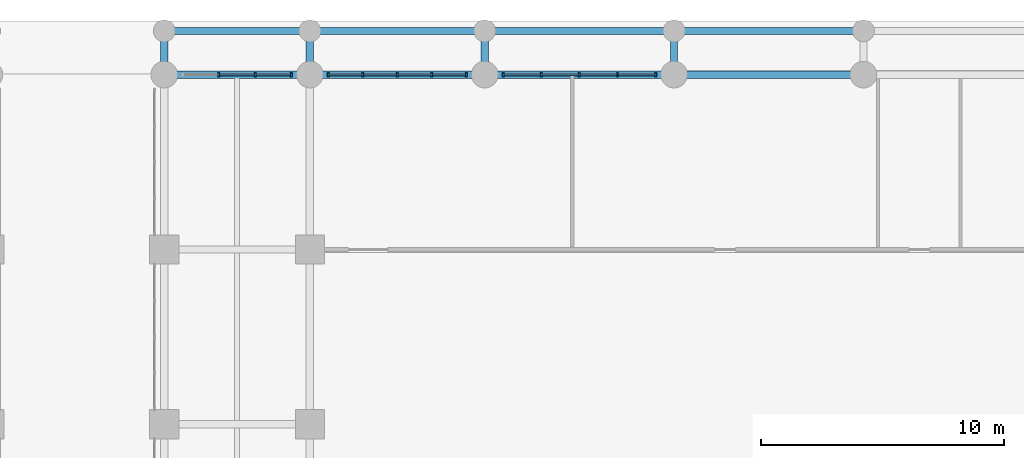
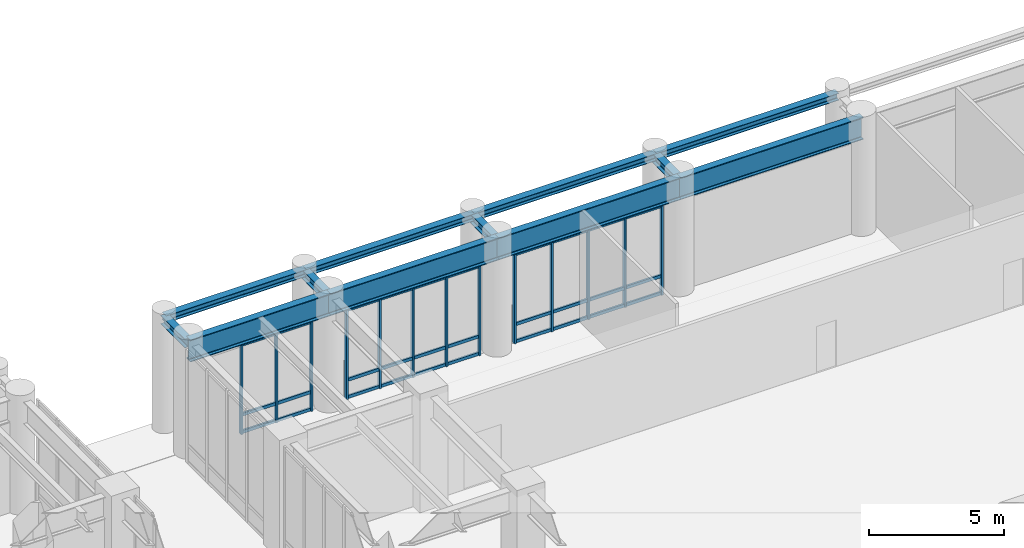
# One storey, part 8 of 23: 43 members, 12 beams, 3 elements without a shape of their own.
"""IFC4 building model written with IfcOpenShell, lengths in metres."""

from ifc_helpers import new_model, si_unit, derived_unit, direction, frame, origin, origin_2d, place, context, subcontext, project, spatial, rectangle, i_section, extrude, source, transform, mapped, material, layer, layer_set, material_profile, profile_set, type_object, type_shapes, element, aggregate, save


model = new_model("IFC4")

# Units and contexts
model_context = context("Model", 3, precision=1e-05, world=origin(), true_north=direction((0.0, 1.0)))
body_context = subcontext(model_context, "Body", "Model", "MODEL_VIEW")
ifc_project = project(units=[si_unit("LENGTHUNIT", "METRE"), si_unit("AREAUNIT", "SQUARE_METRE"), si_unit("VOLUMEUNIT", "CUBIC_METRE"), si_unit("PLANEANGLEUNIT", "RADIAN"), si_unit("MASSUNIT", "GRAM", prefix="KILO"), si_unit("THERMODYNAMICTEMPERATUREUNIT", "KELVIN"), si_unit("POWERUNIT", "WATT"), derived_unit("THERMALTRANSMITTANCEUNIT", [(si_unit("POWERUNIT", "WATT"), 1), (si_unit("AREAUNIT", "SQUARE_METRE"), -1), (si_unit("THERMODYNAMICTEMPERATUREUNIT", "KELVIN"), -1)])], contexts=[model_context])

# Site, building, storey
site_placement = place(None, origin())
site = spatial("IfcSite", under=ifc_project, at=site_placement, CompositionType="ELEMENT")
building_placement = place(site_placement, origin())
building = spatial("IfcBuilding", under=site, at=building_placement, Name="Zahravan Archway Hotel and Residences", CompositionType="ELEMENT")
storey_placement = place(building_placement, origin())
storey = spatial("IfcBuildingStorey", under=building, at=storey_placement, Name="L00", CompositionType="ELEMENT", Elevation=0.0)

# Beams
ifc_material_1 = material(Name="Structural Steel S355J2", Category="steel")
ifc_material_profile_1 = material_profile(ifc_material_1, i_section(OverallWidth=0.300048828125, OverallDepth=1.0, WebThickness=0.01904296875, FlangeThickness=0.035888671875, FilletRadius=0.030029296875, at=origin_2d()), Name="HEB 1000", Category="steel")
ifc_profile_set_1 = profile_set([ifc_material_profile_1], Name="Structural Steel S355J2")
beam_type_1 = type_object("IfcBeamType", Name="BM-PRI-HEB1000", PredefinedType="BEAM", material=ifc_profile_set_1)
shared_shape_1 = source(origin(), body_context, "Body", "SweptSolid", [
    extrude(i_section(OverallWidth=0.300048828125, OverallDepth=1.0, WebThickness=0.01904296875, FlangeThickness=0.035888671875, FilletRadius=0.030029296875, at=origin_2d()), origin(), (0.0, 0.0, 1.0), 7.199951171875),
])
beam_1_placement = place(storey_placement, frame((34.800048828125, 46.800048828125, 4.60009765625), z_axis=(1.0, 0.0, 0.0), x_axis=(0.0, 1.0, 0.0)))
element("IfcBeam", 1, at=beam_1_placement, inside=storey, type_object=beam_type_1, Name="L00 Primary Girder EW-57", PredefinedType="BEAM", context=body_context, shape_type="MappedRepresentation", body=[
    mapped(shared_shape_1, transform((0.0, 0.0, 0.0), scale=1.0)),
])
shared_shape_2 = source(origin(), body_context, "Body", "SweptSolid", [
    extrude(i_section(OverallWidth=0.300048828125, OverallDepth=1.0, WebThickness=0.01904296875, FlangeThickness=0.035888671875, FilletRadius=0.030029296875, at=origin_2d()), origin(), (0.0, 0.0, 1.0), 6.0),
])
beam_2_placement = place(storey_placement, frame((28.800048828125, 46.800048828125, 4.60009765625), z_axis=(1.0, 0.0, 0.0), x_axis=(0.0, 1.0, 0.0)))
element("IfcBeam", 2, at=beam_2_placement, inside=storey, type_object=beam_type_1, Name="L00 Primary Girder EW-56", PredefinedType="BEAM", context=body_context, shape_type="MappedRepresentation", body=[
    mapped(shared_shape_2, transform((0.0, 0.0, 0.0), scale=1.0)),
])
shared_shape_3 = source(origin(), body_context, "Body", "SweptSolid", [
    extrude(i_section(OverallWidth=0.300048828125, OverallDepth=1.0, WebThickness=0.01904296875, FlangeThickness=0.035888671875, FilletRadius=0.030029296875, at=origin_2d()), origin(), (0.0, 0.0, 1.0), 7.800048828125),
])
for number, where, z_axis, x_axis, name in (
    (3, (42.0, 46.800048828125, 4.60009765625), (1.0, 0.0, 0.0), (0.0, 1.0, 0.0), "L00 Primary Girder EW-58"),
    (4, (49.800048828125, 46.800048828125, 4.60009765625), (1.0, 0.0, 0.0), (0.0, 1.0, 0.0), "L00 Primary Girder EW-59"),
):
    element("IfcBeam", number, at=place(storey_placement, frame(where, z_axis=z_axis, x_axis=x_axis)), inside=storey, type_object=beam_type_1, Name=name, PredefinedType="BEAM", context=body_context, shape_type="MappedRepresentation", body=[
        mapped(shared_shape_3, transform((0.0, 0.0, 0.0), scale=1.0)),
    ])
ifc_material_2 = material(Name="Structural Steel S355JR", Category="steel")
ifc_material_profile_2 = material_profile(ifc_material_2, i_section(OverallWidth=0.300048828125, OverallDepth=0.320068359375, WebThickness=0.011474609375, FlangeThickness=0.0205078125, FilletRadius=0.027099609375, at=origin_2d()), Name="HEB 320", Category="steel")
ifc_profile_set_2 = profile_set([ifc_material_profile_2], Name="Structural Steel S355JR")
beam_type_2 = type_object("IfcBeamType", Name="BM-SPN-HEB320", PredefinedType="SPANDREL", material=ifc_profile_set_2)
shared_shape_4 = source(origin(), body_context, "Body", "SweptSolid", [
    extrude(i_section(OverallWidth=0.300048828125, OverallDepth=0.320068359375, WebThickness=0.011474609375, FlangeThickness=0.0205078125, FilletRadius=0.027099609375, at=origin_2d()), origin(), (0.0, 0.0, 1.0), 7.199951171875),
])
type_shapes(beam_type_2, [shared_shape_4])
beam_3_placement = place(storey_placement, frame((34.800048828125, 48.60009765625, 4.93994140625), z_axis=(1.0, 0.0, 0.0), x_axis=(0.0, 1.0, 0.0)))
element("IfcBeam", 5, at=beam_3_placement, inside=storey, type_object=beam_type_2, Name="L00 North Colonnade Spandrel 6", PredefinedType="SPANDREL", context=body_context, shape_type="MappedRepresentation", body=[
    mapped(shared_shape_4, transform((0.0, 0.0, 0.0), scale=1.0)),
])
ifc_material_profile_3 = material_profile(ifc_material_2, i_section(OverallWidth=0.300048828125, OverallDepth=0.39990234375, WebThickness=0.013427734375, FlangeThickness=0.02392578125, FilletRadius=0.027099609375, at=origin_2d()), Name="HEB 400", Category="steel")
ifc_profile_set_3 = profile_set([ifc_material_profile_3], Name="Structural Steel S355JR")
beam_type_3 = type_object("IfcBeamType", Name="BM-PRI-HEB400", PredefinedType="BEAM", material=ifc_profile_set_3)
shared_shape_5 = source(origin(), body_context, "Body", "SweptSolid", [
    extrude(i_section(OverallWidth=0.300048828125, OverallDepth=0.39990234375, WebThickness=0.013427734375, FlangeThickness=0.02392578125, FilletRadius=0.027099609375, at=origin_2d()), origin(), (0.0, 0.0, 1.0), 1.800048828125),
])
for number, where, z_axis, x_axis, name in (
    (6, (28.800048828125, 46.800048828125, 4.89990234375), (0.0, 1.0, 0.0), (-1.0, 0.0, 0.0), "L00 North Colonnade Tie Girder 5"),
    (7, (34.800048828125, 46.800048828125, 4.89990234375), (0.0, 1.0, 0.0), (-1.0, 0.0, 0.0), "L00 North Colonnade Tie Girder 6"),
    (8, (42.0, 46.800048828125, 4.89990234375), (0.0, 1.0, 0.0), (-1.0, 0.0, 0.0), "L00 North Colonnade Tie Girder 7"),
    (9, (49.800048828125, 46.800048828125, 4.89990234375), (0.0, 1.0, 0.0), (-1.0, 0.0, 0.0), "L00 North Colonnade Tie Girder 8"),
):
    element("IfcBeam", number, at=place(storey_placement, frame(where, z_axis=z_axis, x_axis=x_axis)), inside=storey, type_object=beam_type_3, Name=name, PredefinedType="BEAM", context=body_context, shape_type="MappedRepresentation", body=[
        mapped(shared_shape_5, transform((0.0, 0.0, 0.0), scale=1.0)),
    ])
shared_shape_6 = source(origin(), body_context, "Body", "SweptSolid", [
    extrude(i_section(OverallWidth=0.300048828125, OverallDepth=0.320068359375, WebThickness=0.011474609375, FlangeThickness=0.0205078125, FilletRadius=0.027099609375, at=origin_2d()), origin(), (0.0, 0.0, 1.0), 6.0),
])
beam_4_placement = place(storey_placement, frame((28.800048828125, 48.60009765625, 4.93994140625), z_axis=(1.0, 0.0, 0.0), x_axis=(0.0, 1.0, 0.0)))
element("IfcBeam", 10, at=beam_4_placement, inside=storey, type_object=beam_type_2, Name="L00 North Colonnade Spandrel 5", PredefinedType="SPANDREL", context=body_context, shape_type="MappedRepresentation", body=[
    mapped(shared_shape_6, transform((0.0, 0.0, 0.0), scale=1.0)),
])
shared_shape_7 = source(origin(), body_context, "Body", "SweptSolid", [
    extrude(i_section(OverallWidth=0.300048828125, OverallDepth=0.320068359375, WebThickness=0.011474609375, FlangeThickness=0.0205078125, FilletRadius=0.027099609375, at=origin_2d()), origin(), (0.0, 0.0, 1.0), 7.800048828125),
])
for number, where, z_axis, x_axis, name in (
    (11, (42.0, 48.60009765625, 4.93994140625), (1.0, 0.0, 0.0), (0.0, 1.0, 0.0), "L00 North Colonnade Spandrel 7"),
    (12, (49.800048828125, 48.60009765625, 4.93994140625), (1.0, 0.0, 0.0), (0.0, 1.0, 0.0), "L00 North Colonnade Spandrel 8"),
):
    element("IfcBeam", number, at=place(storey_placement, frame(where, z_axis=z_axis, x_axis=x_axis)), inside=storey, type_object=beam_type_2, Name=name, PredefinedType="SPANDREL", context=body_context, shape_type="MappedRepresentation", body=[
        mapped(shared_shape_7, transform((0.0, 0.0, 0.0), scale=1.0)),
    ])

# Curtain wall, members
ifc_material_3 = material(Name="Bronze-Anodized Unitised Aluminium & Low-E Glass", Category="aluminium")
ifc_layer = layer(ifc_material_3, 0.179931640625, Name="Bronze-Anodized Unitised Aluminium & Low-E Glass", Category="aluminium")
ifc_layer_set = layer_set([ifc_layer], Name="Bronze-Anodized Unitised Aluminium & Low-E Glass")
curtain_wall_type = type_object("IfcCurtainWallType", Name="CW-POD-ARCH", PredefinedType="NOTDEFINED", material=ifc_layer_set)
curtain_wall_1_placement = place(storey_placement, origin())
curtain_wall_1 = element("IfcCurtainWall", 13, at=curtain_wall_1_placement, inside=storey, type_object=curtain_wall_type, Name="L00 Curtain Wall CW-POD-L00-1", PredefinedType="NOTDEFINED")
ifc_material_4 = material(Name="Bronze-Anodized Extruded Aluminium", Category="aluminium")
ifc_material_profile_4 = material_profile(ifc_material_4, rectangle(XDim=0.080078125, YDim=0.159912109375, at=origin_2d()), Name="MUL 80x160", Category="aluminium")
ifc_profile_set_4 = profile_set([ifc_material_profile_4], Name="Bronze-Anodized Extruded Aluminium")
member_type_1 = type_object("IfcMemberType", Name="CWM-MUL-160", PredefinedType="MULLION", material=ifc_profile_set_4)
shared_shape_8 = source(origin(), body_context, "Body", "SweptSolid", [
    extrude(rectangle(XDim=0.080078125, YDim=0.159912109375, at=origin_2d()), origin(), (0.0, 0.0, 1.0), 4.0849609375),
])
type_shapes(member_type_1, [shared_shape_8])
member_1_placement = place(storey_placement, frame((31.05322265625, 46.800048828125, 0.0), z_axis=(0.0, 0.0, 1.0), x_axis=(1.0, 0.0, 0.0)))
member_1 = element("IfcMember", 14, at=member_1_placement, type_object=member_type_1, Name="CW-POD-L00-1 Mullion 1", PredefinedType="MULLION", context=body_context, shape_type="MappedRepresentation", body=[
    mapped(shared_shape_8, transform((0.0, 0.0, 0.0), scale=1.0)),
])
member_2_placement = place(storey_placement, frame((32.546630859375, 46.800048828125, 0.0), z_axis=(0.0, 0.0, 1.0), x_axis=(1.0, 0.0, 0.0)))
member_2 = element("IfcMember", 15, at=member_2_placement, type_object=member_type_1, Name="CW-POD-L00-1 Mullion 2", PredefinedType="MULLION", context=body_context, shape_type="MappedRepresentation", body=[
    mapped(shared_shape_8, transform((0.0, 0.0, 0.0), scale=1.0)),
])
member_3_placement = place(storey_placement, frame((34.0400390625, 46.800048828125, 0.0), z_axis=(0.0, 0.0, 1.0), x_axis=(1.0, 0.0, 0.0)))
member_3 = element("IfcMember", 16, at=member_3_placement, type_object=member_type_1, Name="CW-POD-L00-1 Mullion 3", PredefinedType="MULLION", context=body_context, shape_type="MappedRepresentation", body=[
    mapped(shared_shape_8, transform((0.0, 0.0, 0.0), scale=1.0)),
])

curtain_wall_2_placement = place(storey_placement, origin())
curtain_wall_2 = element("IfcCurtainWall", 17, at=curtain_wall_2_placement, inside=storey, type_object=curtain_wall_type, Name="L00 Curtain Wall CW-POD-L00-2", PredefinedType="NOTDEFINED")
member_4_placement = place(storey_placement, frame((35.56005859375, 46.800048828125, 0.0), z_axis=(0.0, 0.0, 1.0), x_axis=(1.0, 0.0, 0.0)))
member_4 = element("IfcMember", 18, at=member_4_placement, type_object=member_type_1, Name="CW-POD-L00-2 Mullion 0", PredefinedType="MULLION", context=body_context, shape_type="MappedRepresentation", body=[
    mapped(shared_shape_8, transform((0.0, 0.0, 0.0), scale=1.0)),
])
member_5_placement = place(storey_placement, frame((36.97998046875, 46.800048828125, 0.0), z_axis=(0.0, 0.0, 1.0), x_axis=(1.0, 0.0, 0.0)))
member_5 = element("IfcMember", 19, at=member_5_placement, type_object=member_type_1, Name="CW-POD-L00-2 Mullion 1", PredefinedType="MULLION", context=body_context, shape_type="MappedRepresentation", body=[
    mapped(shared_shape_8, transform((0.0, 0.0, 0.0), scale=1.0)),
])
member_6_placement = place(storey_placement, frame((38.39990234375, 46.800048828125, 0.0), z_axis=(0.0, 0.0, 1.0), x_axis=(1.0, 0.0, 0.0)))
member_6 = element("IfcMember", 20, at=member_6_placement, type_object=member_type_1, Name="CW-POD-L00-2 Mullion 2", PredefinedType="MULLION", context=body_context, shape_type="MappedRepresentation", body=[
    mapped(shared_shape_8, transform((0.0, 0.0, 0.0), scale=1.0)),
])
member_7_placement = place(storey_placement, frame((39.820068359375, 46.800048828125, 0.0), z_axis=(0.0, 0.0, 1.0), x_axis=(1.0, 0.0, 0.0)))
member_7 = element("IfcMember", 21, at=member_7_placement, type_object=member_type_1, Name="CW-POD-L00-2 Mullion 3", PredefinedType="MULLION", context=body_context, shape_type="MappedRepresentation", body=[
    mapped(shared_shape_8, transform((0.0, 0.0, 0.0), scale=1.0)),
])
member_8_placement = place(storey_placement, frame((41.239990234375, 46.800048828125, 0.0), z_axis=(0.0, 0.0, 1.0), x_axis=(1.0, 0.0, 0.0)))
member_8 = element("IfcMember", 22, at=member_8_placement, type_object=member_type_1, Name="CW-POD-L00-2 Mullion 4", PredefinedType="MULLION", context=body_context, shape_type="MappedRepresentation", body=[
    mapped(shared_shape_8, transform((0.0, 0.0, 0.0), scale=1.0)),
])

curtain_wall_3_placement = place(storey_placement, origin())
curtain_wall_3 = element("IfcCurtainWall", 23, at=curtain_wall_3_placement, inside=storey, type_object=curtain_wall_type, Name="L00 Curtain Wall CW-POD-L00-3", PredefinedType="NOTDEFINED")
member_9_placement = place(storey_placement, frame((42.760009765625, 46.800048828125, 0.0), z_axis=(0.0, 0.0, 1.0), x_axis=(1.0, 0.0, 0.0)))
member_9 = element("IfcMember", 24, at=member_9_placement, type_object=member_type_1, Name="CW-POD-L00-3 Mullion 0", PredefinedType="MULLION", context=body_context, shape_type="MappedRepresentation", body=[
    mapped(shared_shape_8, transform((0.0, 0.0, 0.0), scale=1.0)),
])
member_10_placement = place(storey_placement, frame((44.330078125, 46.800048828125, 0.0), z_axis=(0.0, 0.0, 1.0), x_axis=(1.0, 0.0, 0.0)))
member_10 = element("IfcMember", 25, at=member_10_placement, type_object=member_type_1, Name="CW-POD-L00-3 Mullion 1", PredefinedType="MULLION", context=body_context, shape_type="MappedRepresentation", body=[
    mapped(shared_shape_8, transform((0.0, 0.0, 0.0), scale=1.0)),
])
member_11_placement = place(storey_placement, frame((45.89990234375, 46.800048828125, 0.0), z_axis=(0.0, 0.0, 1.0), x_axis=(1.0, 0.0, 0.0)))
member_11 = element("IfcMember", 26, at=member_11_placement, type_object=member_type_1, Name="CW-POD-L00-3 Mullion 2", PredefinedType="MULLION", context=body_context, shape_type="MappedRepresentation", body=[
    mapped(shared_shape_8, transform((0.0, 0.0, 0.0), scale=1.0)),
])
member_12_placement = place(storey_placement, frame((47.469970703125, 46.800048828125, 0.0), z_axis=(0.0, 0.0, 1.0), x_axis=(1.0, 0.0, 0.0)))
member_12 = element("IfcMember", 27, at=member_12_placement, type_object=member_type_1, Name="CW-POD-L00-3 Mullion 3", PredefinedType="MULLION", context=body_context, shape_type="MappedRepresentation", body=[
    mapped(shared_shape_8, transform((0.0, 0.0, 0.0), scale=1.0)),
])
member_13_placement = place(storey_placement, frame((49.0400390625, 46.800048828125, 0.0), z_axis=(0.0, 0.0, 1.0), x_axis=(1.0, 0.0, 0.0)))
member_13 = element("IfcMember", 28, at=member_13_placement, type_object=member_type_1, Name="CW-POD-L00-3 Mullion 4", PredefinedType="MULLION", context=body_context, shape_type="MappedRepresentation", body=[
    mapped(shared_shape_8, transform((0.0, 0.0, 0.0), scale=1.0)),
])

# Member
ifc_material_profile_5 = material_profile(ifc_material_4, rectangle(XDim=0.080078125, YDim=0.139892578125, at=origin_2d()), Name="TRN 80x140", Category="aluminium")
ifc_profile_set_5 = profile_set([ifc_material_profile_5], Name="Bronze-Anodized Extruded Aluminium")
member_type_2 = type_object("IfcMemberType", Name="CWM-TRN-140", PredefinedType="USERDEFINED", material=ifc_profile_set_5)
shared_shape_9 = source(origin(), body_context, "Body", "SweptSolid", [
    extrude(rectangle(XDim=0.080078125, YDim=0.139892578125, at=origin_2d()), origin(), (0.0, 0.0, 1.0), 1.413330078125),
])
member_14_placement = place(storey_placement, frame((31.09326171875, 46.800048828125, 0.070068359375), z_axis=(1.0, 0.0, 0.0), x_axis=(0.0, 1.0, 0.0)))
member_14 = element("IfcMember", 29, at=member_14_placement, type_object=member_type_2, Name="CW-POD-L00-1 Transom 1-1", ObjectType="TRANSOM", PredefinedType="USERDEFINED", context=body_context, shape_type="MappedRepresentation", body=[
    mapped(shared_shape_9, transform((0.0, 0.0, 0.0), scale=1.0)),
])

member_15_placement = place(storey_placement, frame((31.09326171875, 46.800048828125, 0.85009765625), z_axis=(1.0, 0.0, 0.0), x_axis=(0.0, 1.0, 0.0)))
member_15 = element("IfcMember", 30, at=member_15_placement, type_object=member_type_2, Name="CW-POD-L00-1 Transom 1-2", ObjectType="TRANSOM", PredefinedType="USERDEFINED", context=body_context, shape_type="MappedRepresentation", body=[
    mapped(shared_shape_9, transform((0.0, 0.0, 0.0), scale=1.0)),
])

member_16_placement = place(storey_placement, frame((31.09326171875, 46.800048828125, 4.014892578125), z_axis=(1.0, 0.0, 0.0), x_axis=(0.0, 1.0, 0.0)))
member_16 = element("IfcMember", 31, at=member_16_placement, type_object=member_type_2, Name="CW-POD-L00-1 Transom 1-3", ObjectType="TRANSOM", PredefinedType="USERDEFINED", context=body_context, shape_type="MappedRepresentation", body=[
    mapped(shared_shape_9, transform((0.0, 0.0, 0.0), scale=1.0)),
])

member_17_placement = place(storey_placement, frame((32.586669921875, 46.800048828125, 0.070068359375), z_axis=(1.0, 0.0, 0.0), x_axis=(0.0, 1.0, 0.0)))
member_17 = element("IfcMember", 32, at=member_17_placement, type_object=member_type_2, Name="CW-POD-L00-1 Transom 2-1", ObjectType="TRANSOM", PredefinedType="USERDEFINED", context=body_context, shape_type="MappedRepresentation", body=[
    mapped(shared_shape_9, transform((0.0, 0.0, 0.0), scale=1.0)),
])

member_18_placement = place(storey_placement, frame((32.586669921875, 46.800048828125, 0.85009765625), z_axis=(1.0, 0.0, 0.0), x_axis=(0.0, 1.0, 0.0)))
member_18 = element("IfcMember", 33, at=member_18_placement, type_object=member_type_2, Name="CW-POD-L00-1 Transom 2-2", ObjectType="TRANSOM", PredefinedType="USERDEFINED", context=body_context, shape_type="MappedRepresentation", body=[
    mapped(shared_shape_9, transform((0.0, 0.0, 0.0), scale=1.0)),
])

member_19_placement = place(storey_placement, frame((32.586669921875, 46.800048828125, 4.014892578125), z_axis=(1.0, 0.0, 0.0), x_axis=(0.0, 1.0, 0.0)))
member_19 = element("IfcMember", 34, at=member_19_placement, type_object=member_type_2, Name="CW-POD-L00-1 Transom 2-3", ObjectType="TRANSOM", PredefinedType="USERDEFINED", context=body_context, shape_type="MappedRepresentation", body=[
    mapped(shared_shape_9, transform((0.0, 0.0, 0.0), scale=1.0)),
])

aggregate(curtain_wall_1, [member_1, member_2, member_3, member_14, member_15, member_16, member_17, member_18, member_19])

shared_shape_10 = source(origin(), body_context, "Body", "SweptSolid", [
    extrude(rectangle(XDim=0.080078125, YDim=0.139892578125, at=origin_2d()), origin(), (0.0, 0.0, 1.0), 1.33984375),
])
member_20_placement = place(storey_placement, frame((35.60009765625, 46.800048828125, 0.070068359375), z_axis=(1.0, 0.0, 0.0), x_axis=(0.0, 1.0, 0.0)))
member_20 = element("IfcMember", 35, at=member_20_placement, type_object=member_type_2, Name="CW-POD-L00-2 Transom 0-1", ObjectType="TRANSOM", PredefinedType="USERDEFINED", context=body_context, shape_type="MappedRepresentation", body=[
    mapped(shared_shape_10, transform((0.0, 0.0, 0.0), scale=1.0)),
])

member_21_placement = place(storey_placement, frame((35.60009765625, 46.800048828125, 0.85009765625), z_axis=(1.0, 0.0, 0.0), x_axis=(0.0, 1.0, 0.0)))
member_21 = element("IfcMember", 36, at=member_21_placement, type_object=member_type_2, Name="CW-POD-L00-2 Transom 0-2", ObjectType="TRANSOM", PredefinedType="USERDEFINED", context=body_context, shape_type="MappedRepresentation", body=[
    mapped(shared_shape_10, transform((0.0, 0.0, 0.0), scale=1.0)),
])

member_22_placement = place(storey_placement, frame((35.60009765625, 46.800048828125, 4.014892578125), z_axis=(1.0, 0.0, 0.0), x_axis=(0.0, 1.0, 0.0)))
member_22 = element("IfcMember", 37, at=member_22_placement, type_object=member_type_2, Name="CW-POD-L00-2 Transom 0-3", ObjectType="TRANSOM", PredefinedType="USERDEFINED", context=body_context, shape_type="MappedRepresentation", body=[
    mapped(shared_shape_10, transform((0.0, 0.0, 0.0), scale=1.0)),
])

member_23_placement = place(storey_placement, frame((39.860107421875, 46.800048828125, 0.070068359375), z_axis=(1.0, 0.0, 0.0), x_axis=(0.0, 1.0, 0.0)))
member_23 = element("IfcMember", 38, at=member_23_placement, type_object=member_type_2, Name="CW-POD-L00-2 Transom 3-1", ObjectType="TRANSOM", PredefinedType="USERDEFINED", context=body_context, shape_type="MappedRepresentation", body=[
    mapped(shared_shape_10, transform((0.0, 0.0, 0.0), scale=1.0)),
])

member_24_placement = place(storey_placement, frame((39.860107421875, 46.800048828125, 0.85009765625), z_axis=(1.0, 0.0, 0.0), x_axis=(0.0, 1.0, 0.0)))
member_24 = element("IfcMember", 39, at=member_24_placement, type_object=member_type_2, Name="CW-POD-L00-2 Transom 3-2", ObjectType="TRANSOM", PredefinedType="USERDEFINED", context=body_context, shape_type="MappedRepresentation", body=[
    mapped(shared_shape_10, transform((0.0, 0.0, 0.0), scale=1.0)),
])

member_25_placement = place(storey_placement, frame((39.860107421875, 46.800048828125, 4.014892578125), z_axis=(1.0, 0.0, 0.0), x_axis=(0.0, 1.0, 0.0)))
member_25 = element("IfcMember", 40, at=member_25_placement, type_object=member_type_2, Name="CW-POD-L00-2 Transom 3-3", ObjectType="TRANSOM", PredefinedType="USERDEFINED", context=body_context, shape_type="MappedRepresentation", body=[
    mapped(shared_shape_10, transform((0.0, 0.0, 0.0), scale=1.0)),
])

shared_shape_11 = source(origin(), body_context, "Body", "SweptSolid", [
    extrude(rectangle(XDim=0.080078125, YDim=0.139892578125, at=origin_2d()), origin(), (0.0, 0.0, 1.0), 1.340087890625),
])
member_26_placement = place(storey_placement, frame((37.02001953125, 46.800048828125, 0.070068359375), z_axis=(1.0, 0.0, 0.0), x_axis=(0.0, 1.0, 0.0)))
member_26 = element("IfcMember", 41, at=member_26_placement, type_object=member_type_2, Name="CW-POD-L00-2 Transom 1-1", ObjectType="TRANSOM", PredefinedType="USERDEFINED", context=body_context, shape_type="MappedRepresentation", body=[
    mapped(shared_shape_11, transform((0.0, 0.0, 0.0), scale=1.0)),
])

member_27_placement = place(storey_placement, frame((37.02001953125, 46.800048828125, 0.85009765625), z_axis=(1.0, 0.0, 0.0), x_axis=(0.0, 1.0, 0.0)))
member_27 = element("IfcMember", 42, at=member_27_placement, type_object=member_type_2, Name="CW-POD-L00-2 Transom 1-2", ObjectType="TRANSOM", PredefinedType="USERDEFINED", context=body_context, shape_type="MappedRepresentation", body=[
    mapped(shared_shape_11, transform((0.0, 0.0, 0.0), scale=1.0)),
])

member_28_placement = place(storey_placement, frame((37.02001953125, 46.800048828125, 4.014892578125), z_axis=(1.0, 0.0, 0.0), x_axis=(0.0, 1.0, 0.0)))
member_28 = element("IfcMember", 43, at=member_28_placement, type_object=member_type_2, Name="CW-POD-L00-2 Transom 1-3", ObjectType="TRANSOM", PredefinedType="USERDEFINED", context=body_context, shape_type="MappedRepresentation", body=[
    mapped(shared_shape_11, transform((0.0, 0.0, 0.0), scale=1.0)),
])

member_29_placement = place(storey_placement, frame((38.43994140625, 46.800048828125, 0.070068359375), z_axis=(1.0, 0.0, 0.0), x_axis=(0.0, 1.0, 0.0)))
member_29 = element("IfcMember", 44, at=member_29_placement, type_object=member_type_2, Name="CW-POD-L00-2 Transom 2-1", ObjectType="TRANSOM", PredefinedType="USERDEFINED", context=body_context, shape_type="MappedRepresentation", body=[
    mapped(shared_shape_11, transform((0.0, 0.0, 0.0), scale=1.0)),
])

member_30_placement = place(storey_placement, frame((38.43994140625, 46.800048828125, 0.85009765625), z_axis=(1.0, 0.0, 0.0), x_axis=(0.0, 1.0, 0.0)))
member_30 = element("IfcMember", 45, at=member_30_placement, type_object=member_type_2, Name="CW-POD-L00-2 Transom 2-2", ObjectType="TRANSOM", PredefinedType="USERDEFINED", context=body_context, shape_type="MappedRepresentation", body=[
    mapped(shared_shape_11, transform((0.0, 0.0, 0.0), scale=1.0)),
])

member_31_placement = place(storey_placement, frame((38.43994140625, 46.800048828125, 4.014892578125), z_axis=(1.0, 0.0, 0.0), x_axis=(0.0, 1.0, 0.0)))
member_31 = element("IfcMember", 46, at=member_31_placement, type_object=member_type_2, Name="CW-POD-L00-2 Transom 2-3", ObjectType="TRANSOM", PredefinedType="USERDEFINED", context=body_context, shape_type="MappedRepresentation", body=[
    mapped(shared_shape_11, transform((0.0, 0.0, 0.0), scale=1.0)),
])

aggregate(curtain_wall_2, [member_4, member_5, member_6, member_7, member_8, member_20, member_21, member_22, member_26, member_27, member_28, member_29, member_30, member_31, member_23, member_24, member_25])

shared_shape_12 = source(origin(), body_context, "Body", "SweptSolid", [
    extrude(rectangle(XDim=0.080078125, YDim=0.139892578125, at=origin_2d()), origin(), (0.0, 0.0, 1.0), 1.489990234375),
])
member_32_placement = place(storey_placement, frame((42.800048828125, 46.800048828125, 0.070068359375), z_axis=(1.0, 0.0, 0.0), x_axis=(0.0, 1.0, 0.0)))
member_32 = element("IfcMember", 47, at=member_32_placement, type_object=member_type_2, Name="CW-POD-L00-3 Transom 0-1", ObjectType="TRANSOM", PredefinedType="USERDEFINED", context=body_context, shape_type="MappedRepresentation", body=[
    mapped(shared_shape_12, transform((0.0, 0.0, 0.0), scale=1.0)),
])

member_33_placement = place(storey_placement, frame((42.800048828125, 46.800048828125, 0.85009765625), z_axis=(1.0, 0.0, 0.0), x_axis=(0.0, 1.0, 0.0)))
member_33 = element("IfcMember", 48, at=member_33_placement, type_object=member_type_2, Name="CW-POD-L00-3 Transom 0-2", ObjectType="TRANSOM", PredefinedType="USERDEFINED", context=body_context, shape_type="MappedRepresentation", body=[
    mapped(shared_shape_12, transform((0.0, 0.0, 0.0), scale=1.0)),
])

member_34_placement = place(storey_placement, frame((42.800048828125, 46.800048828125, 4.014892578125), z_axis=(1.0, 0.0, 0.0), x_axis=(0.0, 1.0, 0.0)))
member_34 = element("IfcMember", 49, at=member_34_placement, type_object=member_type_2, Name="CW-POD-L00-3 Transom 0-3", ObjectType="TRANSOM", PredefinedType="USERDEFINED", context=body_context, shape_type="MappedRepresentation", body=[
    mapped(shared_shape_12, transform((0.0, 0.0, 0.0), scale=1.0)),
])

member_35_placement = place(storey_placement, frame((44.3701171875, 46.800048828125, 0.070068359375), z_axis=(1.0, 0.0, 0.0), x_axis=(0.0, 1.0, 0.0)))
member_35 = element("IfcMember", 50, at=member_35_placement, type_object=member_type_2, Name="CW-POD-L00-3 Transom 1-1", ObjectType="TRANSOM", PredefinedType="USERDEFINED", context=body_context, shape_type="MappedRepresentation", body=[
    mapped(shared_shape_12, transform((0.0, 0.0, 0.0), scale=1.0)),
])

member_36_placement = place(storey_placement, frame((44.3701171875, 46.800048828125, 0.85009765625), z_axis=(1.0, 0.0, 0.0), x_axis=(0.0, 1.0, 0.0)))
member_36 = element("IfcMember", 51, at=member_36_placement, type_object=member_type_2, Name="CW-POD-L00-3 Transom 1-2", ObjectType="TRANSOM", PredefinedType="USERDEFINED", context=body_context, shape_type="MappedRepresentation", body=[
    mapped(shared_shape_12, transform((0.0, 0.0, 0.0), scale=1.0)),
])

member_37_placement = place(storey_placement, frame((44.3701171875, 46.800048828125, 4.014892578125), z_axis=(1.0, 0.0, 0.0), x_axis=(0.0, 1.0, 0.0)))
member_37 = element("IfcMember", 52, at=member_37_placement, type_object=member_type_2, Name="CW-POD-L00-3 Transom 1-3", ObjectType="TRANSOM", PredefinedType="USERDEFINED", context=body_context, shape_type="MappedRepresentation", body=[
    mapped(shared_shape_12, transform((0.0, 0.0, 0.0), scale=1.0)),
])

member_38_placement = place(storey_placement, frame((45.93994140625, 46.800048828125, 0.070068359375), z_axis=(1.0, 0.0, 0.0), x_axis=(0.0, 1.0, 0.0)))
member_38 = element("IfcMember", 53, at=member_38_placement, type_object=member_type_2, Name="CW-POD-L00-3 Transom 2-1", ObjectType="TRANSOM", PredefinedType="USERDEFINED", context=body_context, shape_type="MappedRepresentation", body=[
    mapped(shared_shape_12, transform((0.0, 0.0, 0.0), scale=1.0)),
])

member_39_placement = place(storey_placement, frame((45.93994140625, 46.800048828125, 0.85009765625), z_axis=(1.0, 0.0, 0.0), x_axis=(0.0, 1.0, 0.0)))
member_39 = element("IfcMember", 54, at=member_39_placement, type_object=member_type_2, Name="CW-POD-L00-3 Transom 2-2", ObjectType="TRANSOM", PredefinedType="USERDEFINED", context=body_context, shape_type="MappedRepresentation", body=[
    mapped(shared_shape_12, transform((0.0, 0.0, 0.0), scale=1.0)),
])

member_40_placement = place(storey_placement, frame((45.93994140625, 46.800048828125, 4.014892578125), z_axis=(1.0, 0.0, 0.0), x_axis=(0.0, 1.0, 0.0)))
member_40 = element("IfcMember", 55, at=member_40_placement, type_object=member_type_2, Name="CW-POD-L00-3 Transom 2-3", ObjectType="TRANSOM", PredefinedType="USERDEFINED", context=body_context, shape_type="MappedRepresentation", body=[
    mapped(shared_shape_12, transform((0.0, 0.0, 0.0), scale=1.0)),
])

member_41_placement = place(storey_placement, frame((47.510009765625, 46.800048828125, 0.070068359375), z_axis=(1.0, 0.0, 0.0), x_axis=(0.0, 1.0, 0.0)))
member_41 = element("IfcMember", 56, at=member_41_placement, type_object=member_type_2, Name="CW-POD-L00-3 Transom 3-1", ObjectType="TRANSOM", PredefinedType="USERDEFINED", context=body_context, shape_type="MappedRepresentation", body=[
    mapped(shared_shape_12, transform((0.0, 0.0, 0.0), scale=1.0)),
])

member_42_placement = place(storey_placement, frame((47.510009765625, 46.800048828125, 0.85009765625), z_axis=(1.0, 0.0, 0.0), x_axis=(0.0, 1.0, 0.0)))
member_42 = element("IfcMember", 57, at=member_42_placement, type_object=member_type_2, Name="CW-POD-L00-3 Transom 3-2", ObjectType="TRANSOM", PredefinedType="USERDEFINED", context=body_context, shape_type="MappedRepresentation", body=[
    mapped(shared_shape_12, transform((0.0, 0.0, 0.0), scale=1.0)),
])

member_43_placement = place(storey_placement, frame((47.510009765625, 46.800048828125, 4.014892578125), z_axis=(1.0, 0.0, 0.0), x_axis=(0.0, 1.0, 0.0)))
member_43 = element("IfcMember", 58, at=member_43_placement, type_object=member_type_2, Name="CW-POD-L00-3 Transom 3-3", ObjectType="TRANSOM", PredefinedType="USERDEFINED", context=body_context, shape_type="MappedRepresentation", body=[
    mapped(shared_shape_12, transform((0.0, 0.0, 0.0), scale=1.0)),
])

aggregate(curtain_wall_3, [member_9, member_10, member_11, member_12, member_13, member_32, member_33, member_34, member_35, member_36, member_37, member_38, member_39, member_40, member_41, member_42, member_43])

save(model, "model.ifc")
